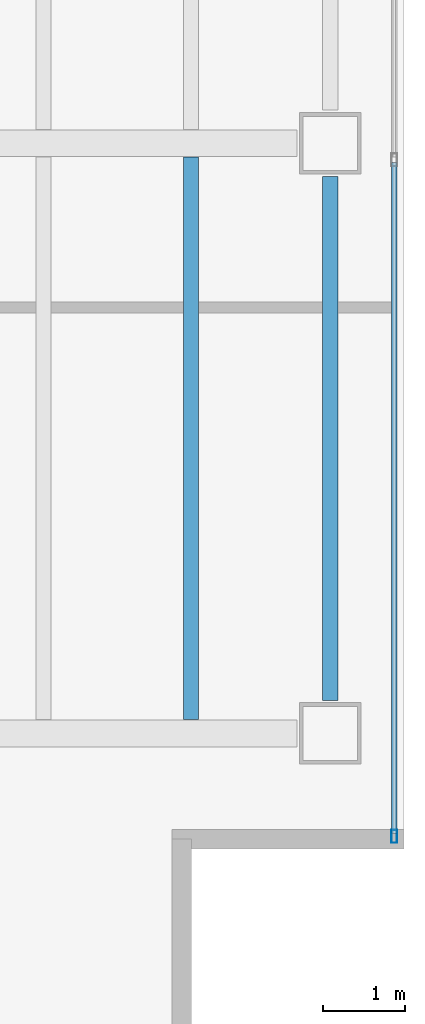
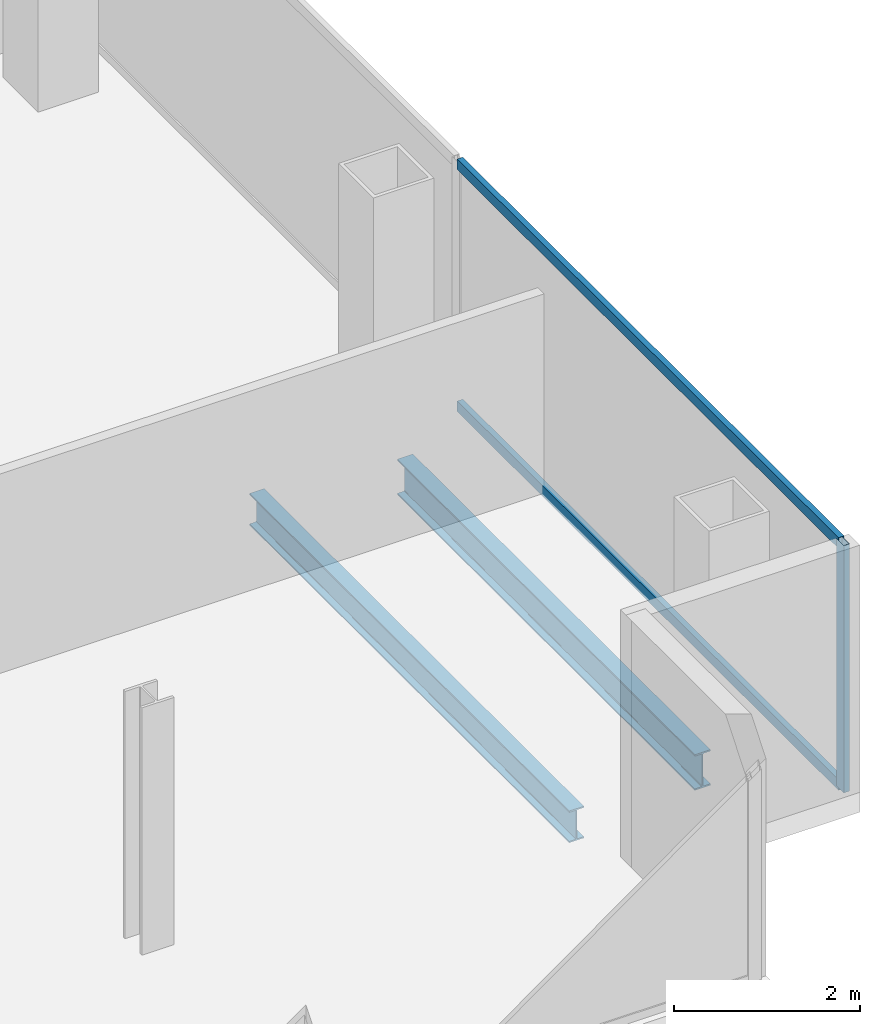
# One storey, part 12 of 23: 3 members, 2 beams, 1 element without a shape of its own.
"""IFC4 building model written with IfcOpenShell, lengths in metres."""

from ifc_helpers import new_model, si_unit, direction, frame, origin, origin_2d, place, context, subcontext, project, spatial, hollow_rectangle, i_section, extrude, material, material_profile, profile_set, type_object, element, aggregate, save


model = new_model("IFC4")

# Units and contexts
model_context = context("Model", 3, precision=1e-05, world=origin(), true_north=direction((0.0, 1.0)))
body_context = subcontext(model_context, "Body", "Model", "MODEL_VIEW")
ifc_project = project(units=[si_unit("LENGTHUNIT", "METRE"), si_unit("AREAUNIT", "SQUARE_METRE"), si_unit("VOLUMEUNIT", "CUBIC_METRE"), si_unit("PLANEANGLEUNIT", "RADIAN"), si_unit("MASSUNIT", "GRAM", prefix="KILO")], contexts=[model_context])

# Site, building, storey
site_placement = place(None, origin())
site = spatial("IfcSite", under=ifc_project, at=site_placement, CompositionType="ELEMENT")
building_placement = place(site_placement, origin())
building = spatial("IfcBuilding", under=site, at=building_placement, Name="Cobrela Telecom Tower", CompositionType="ELEMENT")
storey_placement = place(building_placement, frame((0.0, 0.0, 201.25)))
storey = spatial("IfcBuildingStorey", under=building, at=storey_placement, Name="L51", CompositionType="ELEMENT", Elevation=201.25)

# Beams
ifc_material_1 = material(Name="Steel ASTM A992 Grade 50", Category="steel")
ifc_material_profile_1 = material_profile(ifc_material_1, i_section(OverallWidth=0.179931640625, OverallDepth=0.4169921875, WebThickness=0.010986328125, FlangeThickness=0.01806640625, FilletRadius=0.011962890625, at=origin_2d()), Name="W16X57")
ifc_profile_set_1 = profile_set([ifc_material_profile_1], Name="Steel ASTM A992 Grade 50")
beam_type_1 = type_object("IfcBeamType", Name="BM-JOIST-04", PredefinedType="JOIST", material=ifc_profile_set_1)
beam_1_placement = place(storey_placement, frame((41.39990234375, 7.367431640625, -0.468505859375), z_axis=(0.0, 1.0, 0.0), x_axis=(-1.0, 0.0, 0.0)))
element("IfcBeam", 1, at=beam_1_placement, inside=storey, type_object=beam_type_1, Name="L51 Secondary Composite Floor Beam J29", PredefinedType="JOIST", context=body_context, shape_type="SweptSolid", body=[
    extrude(i_section(OverallWidth=0.179931640625, OverallDepth=0.4169921875, WebThickness=0.010986328125, FlangeThickness=0.01806640625, FilletRadius=0.011962890625, at=origin_2d()), origin(), (0.0, 0.0, 1.0), 6.864990234375),
])
ifc_material_profile_2 = material_profile(ifc_material_1, i_section(OverallWidth=0.193115234375, OverallDepth=0.467041015625, WebThickness=0.011474609375, FlangeThickness=0.01904296875, FilletRadius=0.012939453125, at=origin_2d()), Name="W18X65")
ifc_profile_set_2 = profile_set([ifc_material_profile_2], Name="Steel ASTM A992 Grade 50")
beam_type_2 = type_object("IfcBeamType", Name="BM-SPAND-05", PredefinedType="SPANDREL", material=ifc_profile_set_2)
beam_2_placement = place(storey_placement, frame((43.10009765625, 7.60498046875, -0.493408203125), z_axis=(0.0, 1.0, 0.0), x_axis=(-1.0, 0.0, 0.0)))
element("IfcBeam", 2, at=beam_2_placement, inside=storey, type_object=beam_type_2, Name="L51 Perimeter Spandrel Y42", PredefinedType="SPANDREL", context=body_context, shape_type="SweptSolid", body=[
    extrude(i_section(OverallWidth=0.193115234375, OverallDepth=0.467041015625, WebThickness=0.011474609375, FlangeThickness=0.01904296875, FilletRadius=0.012939453125, at=origin_2d()), origin(), (0.0, 0.0, 1.0), 6.39013671875),
])

# Curtain wall, members
ifc_material_2 = material(Name="Anodized Bronze Aluminium 6063-T6", Category="aluminium")
curtain_wall_type = type_object("IfcCurtainWallType", Name="CW-SYS-OFF-LO", PredefinedType="USERDEFINED", material=ifc_material_2)
curtain_wall_placement = place(storey_placement, origin())
curtain_wall = element("IfcCurtainWall", 3, at=curtain_wall_placement, inside=storey, type_object=curtain_wall_type, Name="L51 Unitised Bronze Curtain Wall 14", ObjectType="UNITISED CURTAIN WALL", PredefinedType="USERDEFINED")
ifc_material_profile_3 = material_profile(ifc_material_2, hollow_rectangle(XDim=0.070068359375, YDim=0.159912109375, WallThickness=0.00390625, at=origin_2d()), Name="ALU 70x160x4")
ifc_profile_set_3 = profile_set([ifc_material_profile_3], Name="Anodized Bronze Aluminium 6063-T6")
member_type_1 = type_object("IfcMemberType", Name="CW-SYS-OFF-LO-MUL", PredefinedType="MULLION", material=ifc_profile_set_3)
member_1_placement = place(storey_placement, frame((43.8798828125, 5.945068359375, 0.0), z_axis=(0.0, 0.0, 1.0), x_axis=(1.0, 0.0, 0.0)))
member_1 = element("IfcMember", 4, at=member_1_placement, type_object=member_type_1, Name="CW-OFF-LO mullion 3", PredefinedType="MULLION", context=body_context, shape_type="SweptSolid", body=[
    extrude(hollow_rectangle(XDim=0.070068359375, YDim=0.159912109375, WallThickness=0.00390625, at=origin_2d()), origin(), (0.0, 0.0, 1.0), 3.239990234375),
])
ifc_material_profile_4 = material_profile(ifc_material_2, hollow_rectangle(XDim=0.070068359375, YDim=0.139892578125, WallThickness=0.00390625, at=origin_2d()), Name="ALU 70x140x4")
ifc_profile_set_4 = profile_set([ifc_material_profile_4], Name="Anodized Bronze Aluminium 6063-T6")
member_type_2 = type_object("IfcMemberType", Name="CW-SYS-OFF-LO-TRN", PredefinedType="USERDEFINED", material=ifc_profile_set_4)
member_2_placement = place(storey_placement, frame((43.8798828125, 14.1650390625, 0.034912109375), z_axis=(0.0, -1.0, 0.0), x_axis=(1.0, 0.0, 0.0)))
member_2 = element("IfcMember", 5, at=member_2_placement, type_object=member_type_2, Name="CW-OFF-LO transom 2.1", ObjectType="TRANSOM", PredefinedType="USERDEFINED", context=body_context, shape_type="SweptSolid", body=[
    extrude(hollow_rectangle(XDim=0.070068359375, YDim=0.139892578125, WallThickness=0.00390625, at=origin_2d()), origin(), (0.0, 0.0, 1.0), 8.18505859375),
])
member_3_placement = place(storey_placement, frame((43.8798828125, 14.1650390625, 3.205078125), z_axis=(0.0, -1.0, 0.0), x_axis=(1.0, 0.0, 0.0)))
member_3 = element("IfcMember", 6, at=member_3_placement, type_object=member_type_2, Name="CW-OFF-LO transom 2.2", ObjectType="TRANSOM", PredefinedType="USERDEFINED", context=body_context, shape_type="SweptSolid", body=[
    extrude(hollow_rectangle(XDim=0.070068359375, YDim=0.139892578125, WallThickness=0.00390625, at=origin_2d()), origin(), (0.0, 0.0, 1.0), 8.18505859375),
])
aggregate(curtain_wall, [member_1, member_2, member_3])

save(model, "model.ifc")
